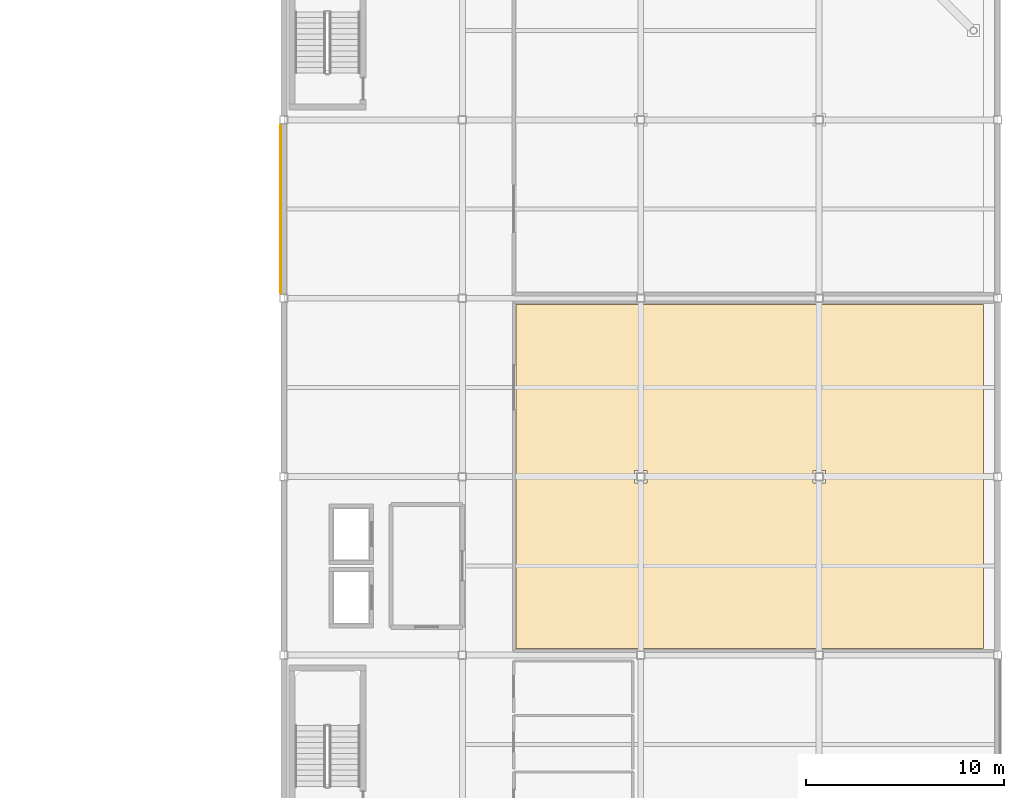
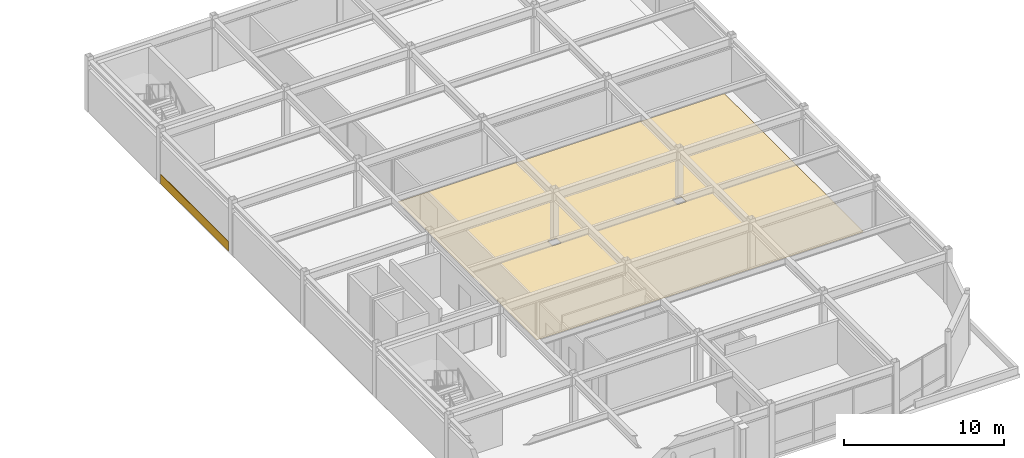
# One storey, part 51 of 53: 2 coverings.
"""IFC4 building model written with IfcOpenShell, lengths in metres."""

from ifc_helpers import new_model, si_unit, direction, frame, origin, origin_2d, place, context, subcontext, project, spatial, polyline, rectangle, outline, extrude, material, layer, layer_set, type_object, element, save


model = new_model("IFC4")

# Units and contexts
model_context = context("Model", 3, precision=1e-05, world=origin(), true_north=direction((0.0, 1.0)))
body_context = subcontext(model_context, "Body", "Model", "MODEL_VIEW")
ifc_project = project(units=[si_unit("LENGTHUNIT", "METRE"), si_unit("AREAUNIT", "SQUARE_METRE"), si_unit("VOLUMEUNIT", "CUBIC_METRE"), si_unit("PLANEANGLEUNIT", "RADIAN"), si_unit("MASSUNIT", "GRAM", prefix="KILO")], contexts=[model_context])

# Site, building, storey
site_placement = place(None, origin())
site = spatial("IfcSite", under=ifc_project, at=site_placement, CompositionType="ELEMENT")
building_placement = place(site_placement, origin())
building = spatial("IfcBuilding", under=site, at=building_placement, Name="Suzunagisa Mobility Hub", CompositionType="ELEMENT")
storey_placement = place(building_placement, frame((0.0, 0.0, 17.699951171875)))
storey = spatial("IfcBuildingStorey", under=building, at=storey_placement, Name="L04", CompositionType="ELEMENT", Elevation=17.699951171875)

# Coverings
ifc_material_1 = material(Name="Polished Aggregate Terrazzo Finish")
ifc_layer_1 = layer(ifc_material_1, 0.02001953125)
ifc_layer_set_1 = layer_set([ifc_layer_1], Name="Polished Aggregate Terrazzo Finish")
covering_type_1 = type_object("IfcCoveringType", Name="Polished Terrazzo Heavy-Traffic Flooring FLR-01", PredefinedType="FLOORING", material=ifc_layer_set_1)
covering_1_placement = place(storey_placement, origin())
element("IfcCovering", 1, at=covering_1_placement, inside=storey, type_object=covering_type_1, Name="L04 Active Mobility Wellness and Rehabilitation Studio Terrazzo Flooring", PredefinedType="FLOORING", context=body_context, shape_type="SweptSolid", body=[
    extrude(outline(polyline([(155.719970703125, 79.679931640625), (161.679931640625, 79.679931640625), (162.320068359375, 79.679931640625), (170.679931640625, 79.679931640625), (171.320068359375, 79.679931640625), (179.280029296875, 79.679931640625), (179.280029296875, 62.320068359375), (171.320068359375, 62.320068359375), (170.679931640625, 62.320068359375), (162.320068359375, 62.320068359375), (161.679931640625, 62.320068359375), (155.719970703125, 62.320068359375), (155.719970703125, 79.679931640625)]), holes=[polyline([(162.320068359375, 70.679931640625), (162.320068359375, 71.320068359375), (161.679931640625, 71.320068359375), (161.679931640625, 70.679931640625), (162.320068359375, 70.679931640625)]), polyline([(171.320068359375, 71.320068359375), (170.679931640625, 71.320068359375), (170.679931640625, 70.679931640625), (171.320068359375, 70.679931640625), (171.320068359375, 71.320068359375)])]), origin(), (0.0, 0.0, 1.0), 0.02001953125),
])
ifc_material_2 = material(Name="Vitreous Porcelain Enamel Aluminum Cladding", Category="aluminium")
ifc_layer_2 = layer(ifc_material_2, 0.034912109375)
ifc_layer_set_2 = layer_set([ifc_layer_2], Name="Vitreous Porcelain Enamel Aluminum Cladding")
covering_type_2 = type_object("IfcCoveringType", Name="Porcelain Enamel Spandrel Cladding Band CLD-01", PredefinedType="CLADDING", material=ifc_layer_set_2)
covering_2_placement = place(storey_placement, frame((143.842529296875, 84.5, 0.06005859375), z_axis=(0.0, 0.0, 1.0), x_axis=(0.0, -1.0, 0.0)))
element("IfcCovering", 2, at=covering_2_placement, inside=storey, type_object=covering_type_2, Name="L04 Porcelain Spandrel Cladding Band CLD-46", PredefinedType="CLADDING", context=body_context, shape_type="SweptSolid", body=[
    extrude(rectangle(XDim=8.5, YDim=0.034912109375, at=origin_2d()), origin(), (0.0, 0.0, 1.0), 0.719970703125),
])

save(model, "model.ifc")
